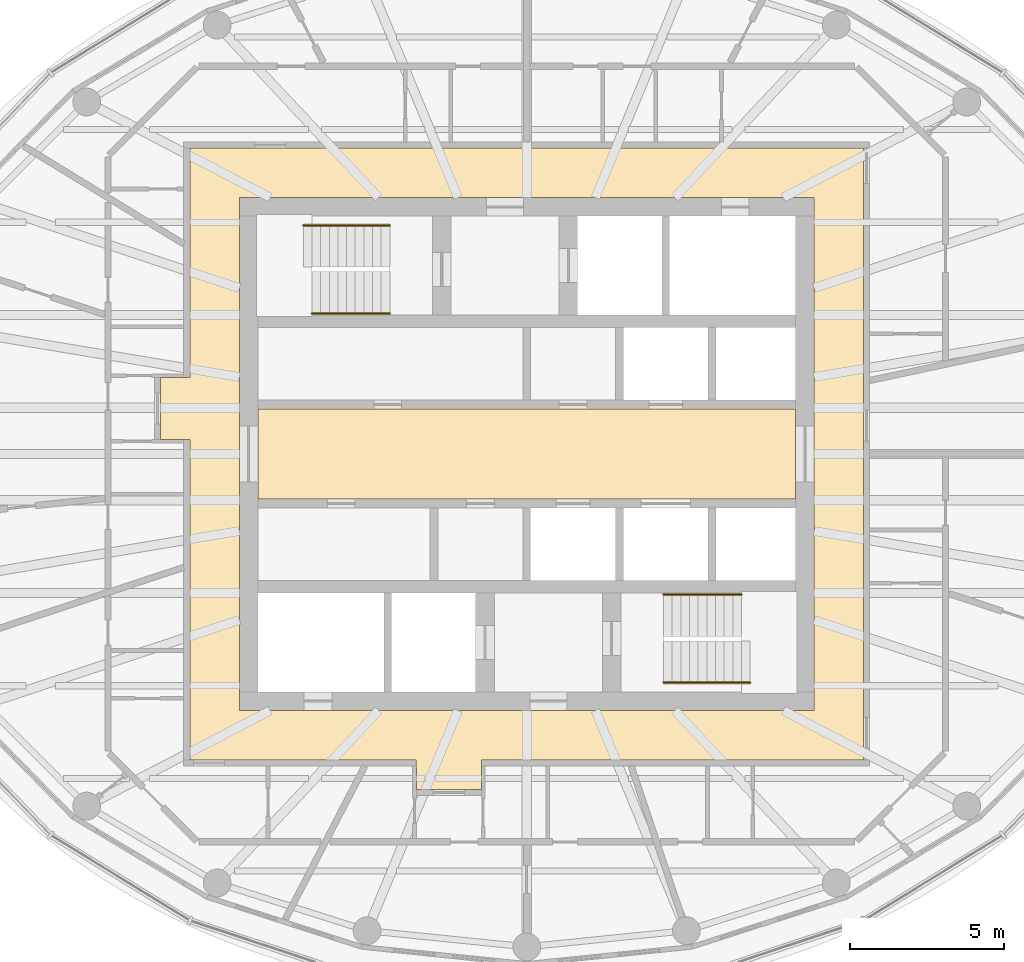
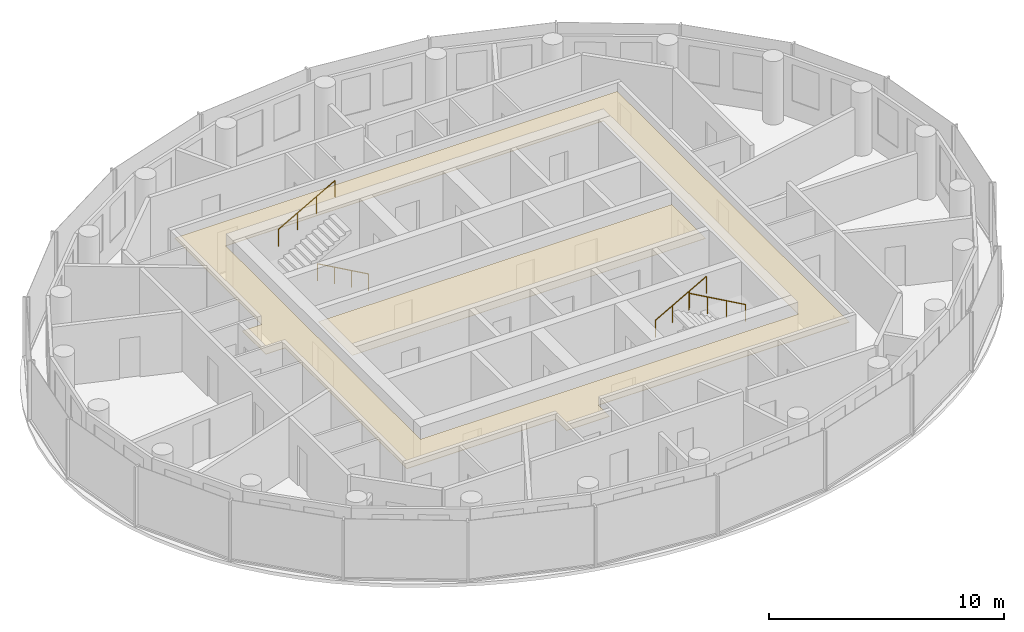
# One storey, part 11 of 11: 4 railings, 2 coverings.
"""IFC4 building model written with IfcOpenShell, lengths in metres."""

import ifcopenshell
import ifcopenshell.guid

model = None  # the IFC model being written
_history = None  # IfcOwnerHistory: only IFC2X3 demands one
_inside = {}  # id of a spatial element -> (the spatial element, [elements in it])
_under = {}  # id of a project, library or spatial element -> (it, [spatial elements below it])
_declared = {}  # id of a project -> (the project, [libraries it declares])
_typed = {}  # id of a type object -> (the type object, [elements of that type])
_made_of = {}  # id of a material, layer set ... -> (it, [elements and type objects made of it])


def new_model(schema):
    """Start an empty IFC model of exactly this schema.

    Asked for "IFC4X3", IfcOpenShell would pick the latest addendum, in which some entities
    have other attributes; the version numbers below select the first issue.
    IFC2X3 requires an IfcOwnerHistory on every rooted entity: one is made here for all.
    """
    global model, _history
    if schema == "IFC4X3":
        model = ifcopenshell.file(schema_version=(4, 3, 0, 0))
    else:
        model = ifcopenshell.file(schema=schema)
    _inside.clear()
    _under.clear()
    _declared.clear()
    _typed.clear()
    _made_of.clear()
    _history = None
    if model.schema == "IFC2X3":
        org = make("IfcOrganization", Name="unknown")
        user = make(
            "IfcPersonAndOrganization",
            ThePerson=make("IfcPerson", FamilyName="unknown"),
            TheOrganization=org,
        )
        app = make(
            "IfcApplication",
            ApplicationDeveloper=org,
            Version="unknown",
            ApplicationFullName="unknown",
            ApplicationIdentifier="unknown",
        )
        _history = make(
            "IfcOwnerHistory",
            OwningUser=user,
            OwningApplication=app,
            ChangeAction="ADDED",
            CreationDate=0,
        )
    return model


def make(cls, **values):
    """One entity of the class cls with the attributes given. An attribute that is None is left unset."""
    return model.create_entity(
        cls, **{name: value for name, value in values.items() if value is not None}
    )


def rooted(cls, **values):
    """An entity with a GlobalId (a new one), such as an element, a storey or a relation."""
    return make(cls, GlobalId=ifcopenshell.guid.new(), OwnerHistory=_history, **values)


def si_unit(unit_type, name, prefix=None):
    """IfcSIUnit, for example si_unit("LENGTHUNIT", "METRE", prefix="MILLI")."""
    return make("IfcSIUnit", UnitType=unit_type, Prefix=prefix, Name=name)


def assignment(units):
    """IfcUnitAssignment: the units of a project."""
    return None if units is None else make("IfcUnitAssignment", Units=units)


def point(xyz):
    """IfcCartesianPoint."""
    return None if xyz is None else make("IfcCartesianPoint", Coordinates=xyz)


def direction(xyz):
    """IfcDirection."""
    return None if xyz is None else make("IfcDirection", DirectionRatios=xyz)


def frame(location, z_axis=None, x_axis=None):
    """IfcAxis2Placement3D, a coordinate frame: its origin and axes. An axis left out is left unset."""
    return make(
        "IfcAxis2Placement3D",
        Location=point(location),
        Axis=direction(z_axis),
        RefDirection=direction(x_axis),
    )


def frame_2d(location, x_axis=None):
    """IfcAxis2Placement2D, a coordinate frame in the plane: its origin and x axis."""
    return make(
        "IfcAxis2Placement2D", Location=point(location), RefDirection=direction(x_axis)
    )


def origin():
    """The frame at (0, 0, 0) with its axes left unset."""
    return frame((0.0, 0.0, 0.0))


def origin_2d():
    """The frame at (0, 0) in the plane with its x axis left unset."""
    return frame_2d((0.0, 0.0))


def place(relative_to, where):
    """IfcLocalPlacement: puts the frame where relative to a parent placement (None: the world)."""
    return make(
        "IfcLocalPlacement", PlacementRelTo=relative_to, RelativePlacement=where
    )


def context(
    kind, dimensions, precision=None, world=None, true_north=None, identifier=None
):
    """IfcGeometricRepresentationContext, for example the 3D "Model" context."""
    return make(
        "IfcGeometricRepresentationContext",
        ContextIdentifier=identifier,
        ContextType=kind,
        CoordinateSpaceDimension=dimensions,
        Precision=precision,
        WorldCoordinateSystem=world,
        TrueNorth=true_north,
    )


def subcontext(parent, identifier, kind, view, scale=None):
    """IfcGeometricRepresentationSubContext, for example "Body" below "Model"."""
    return make(
        "IfcGeometricRepresentationSubContext",
        ContextIdentifier=identifier,
        ContextType=kind,
        ParentContext=parent,
        TargetScale=scale,
        TargetView=view,
    )


def project(units=None, contexts=None):
    """IfcProject with its units and contexts."""
    return rooted(
        "IfcProject",
        Name="project",
        RepresentationContexts=contexts,
        UnitsInContext=assignment(units),
    )


def spatial(cls, under=None, at=None, **own):
    """A site, building, storey or space (cls), placed at a placement, below another one or the project."""
    s = rooted(cls, ObjectPlacement=at, **own)
    if under is not None:
        _under.setdefault(under.id(), (under, []))[1].append(s)
    return s


def polyline(points):
    """IfcPolyline through the points."""
    return make("IfcPolyline", Points=[point(p) for p in points])


def profile(cls, at=None, kind="AREA", **sizes):
    """A parametric profile (cls). Its sizes go by their IFC names, for example OverallWidth=200.0."""
    return make(cls, ProfileType=kind, Position=at, **sizes)


def circle(**sizes):
    """IfcCircleProfileDef."""
    return profile("IfcCircleProfileDef", **sizes)


def outline(outer, holes=None, kind="AREA"):
    """IfcArbitraryClosedProfileDef: a profile drawn as a closed curve; with holes, ...WithVoids."""
    if holes is None:
        return make("IfcArbitraryClosedProfileDef", ProfileType=kind, OuterCurve=outer)
    return make(
        "IfcArbitraryProfileDefWithVoids",
        ProfileType=kind,
        OuterCurve=outer,
        InnerCurves=holes,
    )


def extrude(swept, where, along, depth):
    """IfcExtrudedAreaSolid: the profile swept, set in the frame where, extruded along a direction by depth."""
    return make(
        "IfcExtrudedAreaSolid",
        SweptArea=swept,
        Position=where,
        ExtrudedDirection=direction(along),
        Depth=depth,
    )


def shape(context_of_items, identifier, shape_type, items):
    """IfcShapeRepresentation: the items that make up one representation, for example the "Body"."""
    return make(
        "IfcShapeRepresentation",
        ContextOfItems=context_of_items,
        RepresentationIdentifier=identifier,
        RepresentationType=shape_type,
        Items=items,
    )


def material(Name=None, Category=None):
    """IfcMaterial."""
    return make("IfcMaterial", Name=Name, Category=Category)


def layer(
    of_material, thickness, ventilated=None, Name=None, Category=None, Priority=None
):
    """IfcMaterialLayer: one layer of a wall or slab, of a material (None: an air gap)."""
    return make(
        "IfcMaterialLayer",
        Material=of_material,
        LayerThickness=thickness,
        IsVentilated=ventilated,
        Name=Name,
        Category=Category,
        Priority=Priority,
    )


def layer_set(layers, Name=None):
    """IfcMaterialLayerSet."""
    return make("IfcMaterialLayerSet", MaterialLayers=layers, LayerSetName=Name)


def made_of(thing, what):
    """Note that an element or type object is made of a material, layer set ...; save() writes the relation."""
    if what is not None:
        _made_of.setdefault(what.id(), (what, []))[1].append(thing)
    return thing


def type_object(cls, material=None, **own):
    """A type object (cls), such as IfcWallType, which elements share."""
    return made_of(rooted(cls, **own), material)


def element(
    cls,
    number,
    at=None,
    inside=None,
    cuts=None,
    type_object=None,
    material=None,
    context=None,
    identifier="Body",
    shape_type=None,
    held_by="IfcProductDefinitionShape",
    body=None,
    shapes=None,
    **own,
):
    """One element of the class cls, such as IfcWall. Its Tag is "e" and its number.

    at: its placement. inside: the storey or other place that contains it. cuts: it is an
    opening in that element (IfcRelVoidsElement). A single representation is given by context,
    identifier, shape_type and body (its items); several are given by shapes. held_by: the class
    of the entity that holds the representations. save() writes the other relations.
    """
    e = rooted(cls, Tag="e%d" % number, ObjectPlacement=at, **own)
    if body is not None:
        shapes = [shape(context, identifier, shape_type, body)]
    if shapes is not None:
        e.Representation = make(held_by, Representations=shapes)
    if inside is not None:
        _inside.setdefault(inside.id(), (inside, []))[1].append(e)
    if cuts is not None:
        rooted(
            "IfcRelVoidsElement", RelatingBuildingElement=cuts, RelatedOpeningElement=e
        )
    if type_object is not None:
        _typed.setdefault(type_object.id(), (type_object, []))[1].append(e)
    return made_of(e, material)


def aggregate(whole, parts):
    """IfcRelAggregates: a whole, such as a stair, and the parts it consists of."""
    return rooted("IfcRelAggregates", RelatingObject=whole, RelatedObjects=parts)


def save(model, path):
    """Write the relations noted so far, then the file.

    IfcRelAggregates (storeys below a building ...), IfcRelContainedInSpatialStructure (elements
    in a storey), IfcRelDefinesByType, IfcRelAssociatesMaterial and IfcRelDeclares: one each for
    every whole, place, type object, material and project.
    """
    for whole, parts in _under.values():
        aggregate(whole, parts)
    for where, things in _inside.values():
        rooted(
            "IfcRelContainedInSpatialStructure",
            RelatedElements=things,
            RelatingStructure=where,
        )
    for kind, things in _typed.values():
        rooted("IfcRelDefinesByType", RelatedObjects=things, RelatingType=kind)
    for what, things in _made_of.values():
        rooted("IfcRelAssociatesMaterial", RelatedObjects=things, RelatingMaterial=what)
    for by, libraries in _declared.values():
        rooted("IfcRelDeclares", RelatingContext=by, RelatedDefinitions=libraries)
    model.write(path)


model = new_model("IFC4")

# Units and contexts
model_context = context("Model", 3, precision=1e-05, world=origin(), true_north=direction((0.0, 1.0)))
body_context = subcontext(model_context, "Body", "Model", "MODEL_VIEW")
ifc_project = project(units=[si_unit("LENGTHUNIT", "METRE"), si_unit("AREAUNIT", "SQUARE_METRE"), si_unit("VOLUMEUNIT", "CUBIC_METRE"), si_unit("PLANEANGLEUNIT", "RADIAN"), si_unit("MASSUNIT", "GRAM", prefix="KILO")], contexts=[model_context])

# Site, building, storey
site_placement = place(None, origin())
site = spatial("IfcSite", under=ifc_project, at=site_placement, CompositionType="ELEMENT")
building_placement = place(site_placement, origin())
building = spatial("IfcBuilding", under=site, at=building_placement, Name="Hankou Lantern Tower", CompositionType="ELEMENT")
storey_placement = place(building_placement, frame((0.0, 0.0, 199.5)))
storey = spatial("IfcBuildingStorey", under=building, at=storey_placement, Name="L53", CompositionType="ELEMENT", Elevation=199.5)

# Coverings
ifc_material_1 = material(Name="Black painted aluminium linear ceiling panels", Category="aluminium")
ifc_layer_1 = layer(ifc_material_1, 0.02490234375)
ifc_layer_set_1 = layer_set([ifc_layer_1], Name="Black painted aluminium linear ceiling panels")
covering_type_1 = type_object("IfcCoveringType", Name="CL1 CORRIDOR CEILING 25", PredefinedType="CEILING", material=ifc_layer_set_1)
covering_1_placement = place(storey_placement, frame((0.0, 0.0, 2.64501953125)))
element("IfcCovering", 1, at=covering_1_placement, inside=storey, type_object=covering_type_1, Name="Corridor ceiling L53", PredefinedType="CEILING", context=body_context, shape_type="SweptSolid", body=[
    extrude(outline(polyline([(-3.56884765625, -10.85009765625), (-1.468994140625, -10.85009765625), (-1.468994140625, -10.1201171875), (-1.458984375, -10.1201171875), (-1.458984375, -9.89794921875), (10.89794921875, -9.89794921875), (10.89794921875, 9.89794921875), (-10.89794921875, 9.89794921875), (-10.89794921875, 2.484375), (-11.1201171875, 2.484375), (-11.1201171875, 2.474365234375), (-11.85009765625, 2.474365234375), (-11.85009765625, 0.474365234375), (-11.1201171875, 0.474365234375), (-11.1201171875, 0.46435546875), (-10.89794921875, 0.46435546875), (-10.89794921875, -9.89794921875), (-3.578857421875, -9.89794921875), (-3.578857421875, -10.1201171875), (-3.56884765625, -10.1201171875), (-3.56884765625, -10.85009765625)]), holes=[polyline([(-9.300048828125, 8.300048828125), (9.300048828125, 8.300048828125), (9.300048828125, -8.300048828125), (-9.300048828125, -8.300048828125), (-9.300048828125, 8.300048828125)])]), origin(), (0.0, 0.0, 1.0), 0.02490234375),
])
ifc_material_2 = material(Name="Perforated black aluminium acoustic tray ceiling", Category="aluminium")
ifc_layer_2 = layer(ifc_material_2, 0.014892578125)
ifc_layer_set_2 = layer_set([ifc_layer_2], Name="Perforated black aluminium acoustic tray ceiling")
covering_type_2 = type_object("IfcCoveringType", Name="CL2 LIFT LOBBY CEILING 15", PredefinedType="CEILING", material=ifc_layer_set_2)
covering_2_placement = place(storey_placement, frame((0.0, 0.0, 2.655029296875)))
element("IfcCovering", 2, at=covering_2_placement, inside=storey, type_object=covering_type_2, Name="Lift lobby ceiling L53", PredefinedType="CEILING", context=body_context, shape_type="SweptSolid", body=[
    extrude(outline(polyline([(-8.699951171875, -1.449951171875), (8.699951171875, -1.449951171875), (8.699951171875, 1.449951171875), (-8.699951171875, 1.449951171875), (-8.699951171875, -1.449951171875)])), origin(), (0.0, 0.0, 1.0), 0.014892578125),
])

# Railings
ifc_material_3 = material(Name="Steel handrail", Category="steel")
railing_type = type_object("IfcRailingType", Name="HR1 STAIR HANDRAIL", PredefinedType="HANDRAIL", material=ifc_material_3)
railing_1_placement = place(storey_placement, frame((-4.429931640625, 4.550048828125, 0.89990234375)))
element("IfcRailing", 3, at=railing_1_placement, inside=storey, type_object=railing_type, Name="Handrail stair STA L53 flight 1", PredefinedType="HANDRAIL", context=body_context, shape_type="SweptSolid", body=[
    extrude(circle(Radius=0.02392578125, at=origin_2d()), frame((0.0, 0.0, 0.8759765625), z_axis=(-0.872048945198, 0.0, 0.489418672692), x_axis=(0.0, -1.0, 0.0)), (0.0, 0.0, 1.0), 2.8896484375),
    extrude(circle(Radius=0.02099609375, at=origin_2d()), origin(), (0.0, 0.0, 1.0), 0.851806640625),
    extrude(circle(Radius=0.02099609375, at=origin_2d()), frame((-0.840087890625, 0.0, 0.471435546875)), (0.0, 0.0, 1.0), 0.851806640625),
    extrude(circle(Radius=0.02099609375, at=origin_2d()), frame((-1.679931640625, 0.0, 0.94287109375)), (0.0, 0.0, 1.0), 0.851806640625),
    extrude(circle(Radius=0.02099609375, at=origin_2d()), frame((-2.52001953125, 0.0, 1.414306640625)), (0.0, 0.0, 1.0), 0.851806640625),
])
railing_2_placement = place(storey_placement, frame((-7.22998046875, 7.39990234375, 2.471435546875)))
element("IfcRailing", 4, at=railing_2_placement, inside=storey, type_object=railing_type, Name="Handrail stair STA L53 flight 2", PredefinedType="HANDRAIL", context=body_context, shape_type="SweptSolid", body=[
    extrude(circle(Radius=0.02392578125, at=origin_2d()), frame((0.0, 0.0, 0.8759765625), z_axis=(0.872040151574, 0.0, 0.489434340891), x_axis=(0.0, 1.0, 0.0)), (0.0, 0.0, 1.0), 3.2109375),
    extrude(circle(Radius=0.02099609375, at=origin_2d()), origin(), (0.0, 0.0, 1.0), 0.851806640625),
    extrude(circle(Radius=0.02099609375, at=origin_2d()), frame((0.933349609375, 0.0, 0.52392578125)), (0.0, 0.0, 1.0), 0.851806640625),
    extrude(circle(Radius=0.02099609375, at=origin_2d()), frame((1.86669921875, 0.0, 1.047607421875)), (0.0, 0.0, 1.0), 0.851806640625),
    extrude(circle(Radius=0.02099609375, at=origin_2d()), frame((2.800048828125, 0.0, 1.571533203125)), (0.0, 0.0, 1.0), 0.851806640625),
])
railing_3_placement = place(storey_placement, frame((4.429931640625, -4.550048828125, 0.89990234375)))
element("IfcRailing", 5, at=railing_3_placement, inside=storey, type_object=railing_type, Name="Handrail stair STB L53 flight 1", PredefinedType="HANDRAIL", context=body_context, shape_type="SweptSolid", body=[
    extrude(circle(Radius=0.02392578125, at=origin_2d()), frame((0.0, 0.0, 0.8759765625), z_axis=(0.872048945198, 0.0, 0.489418672692), x_axis=(0.0, 1.0, 0.0)), (0.0, 0.0, 1.0), 2.8896484375),
    extrude(circle(Radius=0.02099609375, at=origin_2d()), origin(), (0.0, 0.0, 1.0), 0.851806640625),
    extrude(circle(Radius=0.02099609375, at=origin_2d()), frame((0.840087890625, 0.0, 0.471435546875)), (0.0, 0.0, 1.0), 0.851806640625),
    extrude(circle(Radius=0.02099609375, at=origin_2d()), frame((1.679931640625, 0.0, 0.94287109375)), (0.0, 0.0, 1.0), 0.851806640625),
    extrude(circle(Radius=0.02099609375, at=origin_2d()), frame((2.52001953125, 0.0, 1.414306640625)), (0.0, 0.0, 1.0), 0.851806640625),
])
railing_4_placement = place(storey_placement, frame((7.22998046875, -7.39990234375, 2.471435546875)))
element("IfcRailing", 6, at=railing_4_placement, inside=storey, type_object=railing_type, Name="Handrail stair STB L53 flight 2", PredefinedType="HANDRAIL", context=body_context, shape_type="SweptSolid", body=[
    extrude(circle(Radius=0.02392578125, at=origin_2d()), frame((0.0, 0.0, 0.8759765625), z_axis=(-0.872040151574, 0.0, 0.489434340891), x_axis=(0.0, -1.0, 0.0)), (0.0, 0.0, 1.0), 3.2109375),
    extrude(circle(Radius=0.02099609375, at=origin_2d()), origin(), (0.0, 0.0, 1.0), 0.851806640625),
    extrude(circle(Radius=0.02099609375, at=origin_2d()), frame((-0.933349609375, 0.0, 0.52392578125)), (0.0, 0.0, 1.0), 0.851806640625),
    extrude(circle(Radius=0.02099609375, at=origin_2d()), frame((-1.86669921875, 0.0, 1.047607421875)), (0.0, 0.0, 1.0), 0.851806640625),
    extrude(circle(Radius=0.02099609375, at=origin_2d()), frame((-2.800048828125, 0.0, 1.571533203125)), (0.0, 0.0, 1.0), 0.851806640625),
])

save(model, "model.ifc")
